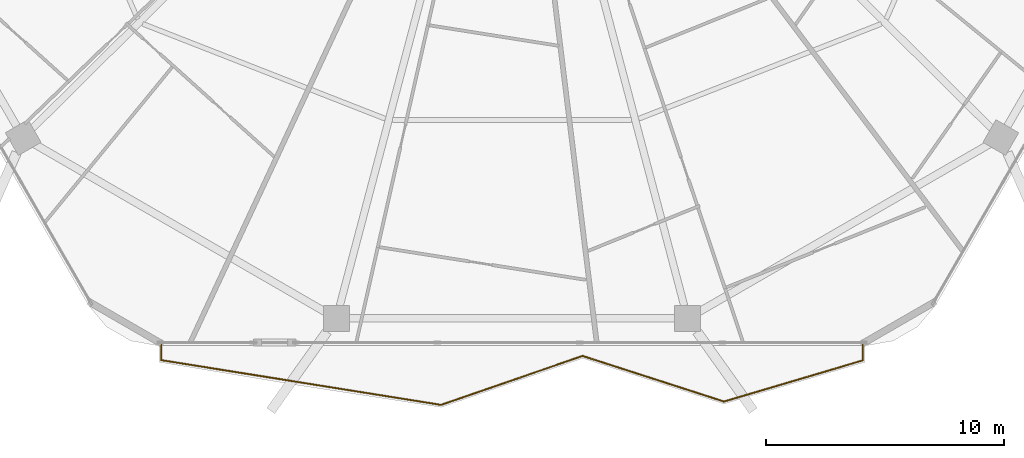
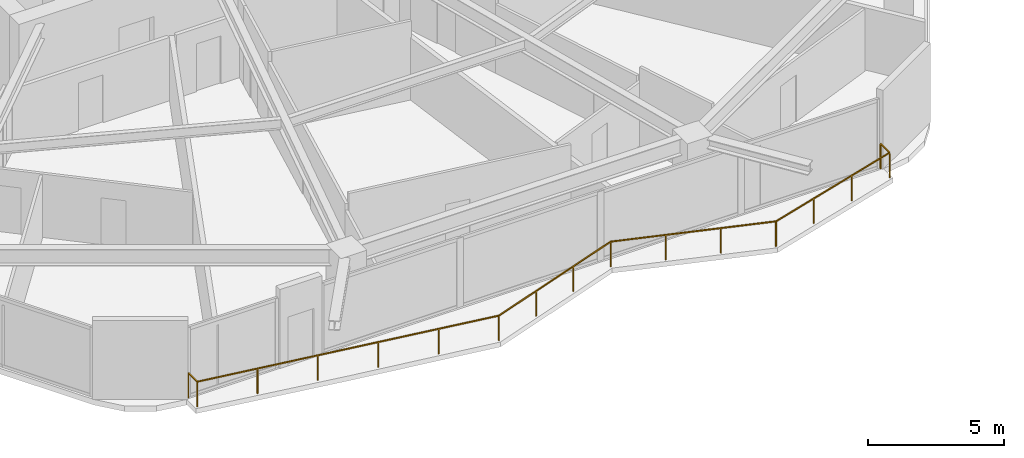
# One storey, part 31 of 33: 1 railing.
"""IFC4 building model written with IfcOpenShell, lengths in metres."""

from ifc_helpers import new_model, si_unit, direction, frame, origin, origin_2d, place, context, subcontext, project, spatial, rectangle, extrude, material, type_object, element, save


model = new_model("IFC4")

# Units and contexts
model_context = context("Model", 3, precision=1e-05, world=origin(), true_north=direction((0.0, 1.0)))
body_context = subcontext(model_context, "Body", "Model", "MODEL_VIEW")
ifc_project = project(units=[si_unit("LENGTHUNIT", "METRE"), si_unit("AREAUNIT", "SQUARE_METRE"), si_unit("VOLUMEUNIT", "CUBIC_METRE"), si_unit("PLANEANGLEUNIT", "RADIAN"), si_unit("MASSUNIT", "GRAM", prefix="KILO")], contexts=[model_context])

# Site, building, storey
site_placement = place(None, origin())
site = spatial("IfcSite", under=ifc_project, at=site_placement, CompositionType="ELEMENT")
building_placement = place(site_placement, origin())
building = spatial("IfcBuilding", under=site, at=building_placement, Name="Zuhravey Tower", CompositionType="ELEMENT")
storey_placement = place(building_placement, frame((0.0, 0.0, 103.800048828125)))
storey = spatial("IfcBuildingStorey", under=building, at=storey_placement, Name="L25", CompositionType="ELEMENT", Elevation=103.800048828125)

# Railing
ifc_material = material(Name="Stainless steel 316 and laminated glass", Category="steel")
railing_type = type_object("IfcRailingType", Name="Balcony & Terrace Guardrail 1150", PredefinedType="BALUSTRADE", material=ifc_material)
railing_placement = place(storey_placement, frame((50.728271484375, 2.95654296875, 0.0)))
element("IfcRailing", 1, at=railing_placement, inside=storey, type_object=railing_type, Name="L25 Face 5 Wave Balcony Guardrail GR1", PredefinedType="BALUSTRADE", context=body_context, shape_type="SweptSolid", body=[
    extrude(rectangle(XDim=0.048095703125, YDim=0.048095703125, at=origin_2d()), frame((0.0, -0.001953125, 1.1259765625), z_axis=(0.0, -1.0, 0.0), x_axis=(1.0, 0.0, 0.0)), (0.0, 0.0, 1.0), 0.66162109375),
    extrude(rectangle(XDim=0.048095703125, YDim=0.048095703125, at=origin_2d()), frame((-0.001953125, -0.666015625, 1.1259765625), z_axis=(-0.958705719341, -0.284399971349, 0.0), x_axis=(0.284399971349, -0.958705719341, 0.0)), (0.0, 0.0, 1.0), 6.0771484375),
    extrude(rectangle(XDim=0.048095703125, YDim=0.048095703125, at=origin_2d()), frame((-5.83203125, -2.394287109375, 1.1259765625), z_axis=(-0.95159415319, 0.307357393949, 0.0), x_axis=(-0.307357393949, -0.95159415319, 0.0)), (0.0, 0.0, 1.0), 6.2314453125),
    extrude(rectangle(XDim=0.048095703125, YDim=0.048095703125, at=origin_2d()), frame((-11.765625, -0.479248046875, 1.1259765625), z_axis=(-0.944932957725, -0.327263969, 0.0), x_axis=(0.327263969, -0.944932957725, 0.0)), (0.0, 0.0, 1.0), 6.28173828125),
    extrude(rectangle(XDim=0.048095703125, YDim=0.048095703125, at=origin_2d()), frame((-17.705322265625, -2.535400390625, 1.1259765625), z_axis=(-0.987442423806, 0.157979301389, 0.0), x_axis=(-0.157979301389, -0.987442423806, 0.0)), (0.0, 0.0, 1.0), 11.898681640625),
    extrude(rectangle(XDim=0.048095703125, YDim=0.048095703125, at=origin_2d()), frame((-29.45654296875, -0.6533203125, 1.1259765625), z_axis=(0.0, 1.0, 0.0), x_axis=(-1.0, 0.0, 0.0)), (0.0, 0.0, 1.0), 0.6513671875),
    extrude(rectangle(XDim=0.0419921875, YDim=0.0419921875, at=origin_2d()), origin(), (0.0, 0.0, 1.0), 1.099853515625),
    extrude(rectangle(XDim=0.0419921875, YDim=0.0419921875, at=origin_2d()), frame((0.0, -0.66552734375, 0.0)), (0.0, 0.0, 1.0), 1.099853515625),
    extrude(rectangle(XDim=0.0419921875, YDim=0.0419921875, at=origin_2d()), frame((-1.943359375, -1.241943359375, 0.0)), (0.0, 0.0, 1.0), 1.099853515625),
    extrude(rectangle(XDim=0.0419921875, YDim=0.0419921875, at=origin_2d()), frame((-3.88671875, -1.818603515625, 0.0)), (0.0, 0.0, 1.0), 1.099853515625),
    extrude(rectangle(XDim=0.0419921875, YDim=0.0419921875, at=origin_2d()), frame((-5.830078125, -2.39501953125, 0.0)), (0.0, 0.0, 1.0), 1.099853515625),
    extrude(rectangle(XDim=0.0419921875, YDim=0.0419921875, at=origin_2d()), frame((-7.807861328125, -1.756103515625, 0.0)), (0.0, 0.0, 1.0), 1.099853515625),
    extrude(rectangle(XDim=0.0419921875, YDim=0.0419921875, at=origin_2d()), frame((-9.785888671875, -1.117431640625, 0.0)), (0.0, 0.0, 1.0), 1.099853515625),
    extrude(rectangle(XDim=0.0419921875, YDim=0.0419921875, at=origin_2d()), frame((-11.763671875, -0.478515625, 0.0)), (0.0, 0.0, 1.0), 1.099853515625),
    extrude(rectangle(XDim=0.0419921875, YDim=0.0419921875, at=origin_2d()), frame((-13.74365234375, -1.164306640625, 0.0)), (0.0, 0.0, 1.0), 1.099853515625),
    extrude(rectangle(XDim=0.0419921875, YDim=0.0419921875, at=origin_2d()), frame((-15.723388671875, -1.849853515625, 0.0)), (0.0, 0.0, 1.0), 1.099853515625),
    extrude(rectangle(XDim=0.0419921875, YDim=0.0419921875, at=origin_2d()), frame((-17.703369140625, -2.53564453125, 0.0)), (0.0, 0.0, 1.0), 1.099853515625),
    extrude(rectangle(XDim=0.0419921875, YDim=0.0419921875, at=origin_2d()), frame((-20.053955078125, -2.15966796875, 0.0)), (0.0, 0.0, 1.0), 1.099853515625),
    extrude(rectangle(XDim=0.0419921875, YDim=0.0419921875, at=origin_2d()), frame((-22.404541015625, -1.783447265625, 0.0)), (0.0, 0.0, 1.0), 1.099853515625),
    extrude(rectangle(XDim=0.0419921875, YDim=0.0419921875, at=origin_2d()), frame((-24.75537109375, -1.407470703125, 0.0)), (0.0, 0.0, 1.0), 1.099853515625),
    extrude(rectangle(XDim=0.0419921875, YDim=0.0419921875, at=origin_2d()), frame((-27.10595703125, -1.03125, 0.0)), (0.0, 0.0, 1.0), 1.099853515625),
    extrude(rectangle(XDim=0.0419921875, YDim=0.0419921875, at=origin_2d()), frame((-29.45654296875, -0.6552734375, 0.0)), (0.0, 0.0, 1.0), 1.099853515625),
    extrude(rectangle(XDim=0.0419921875, YDim=0.0419921875, at=origin_2d()), frame((-29.45654296875, 0.0, 0.0)), (0.0, 0.0, 1.0), 1.099853515625),
])

save(model, "model.ifc")
